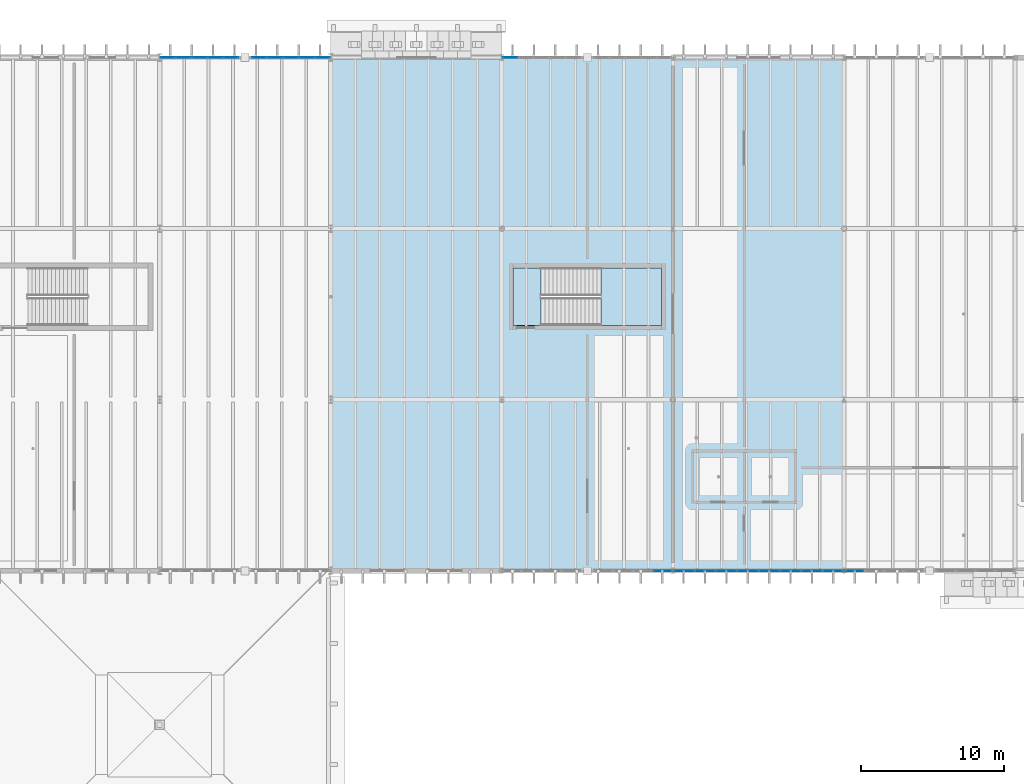
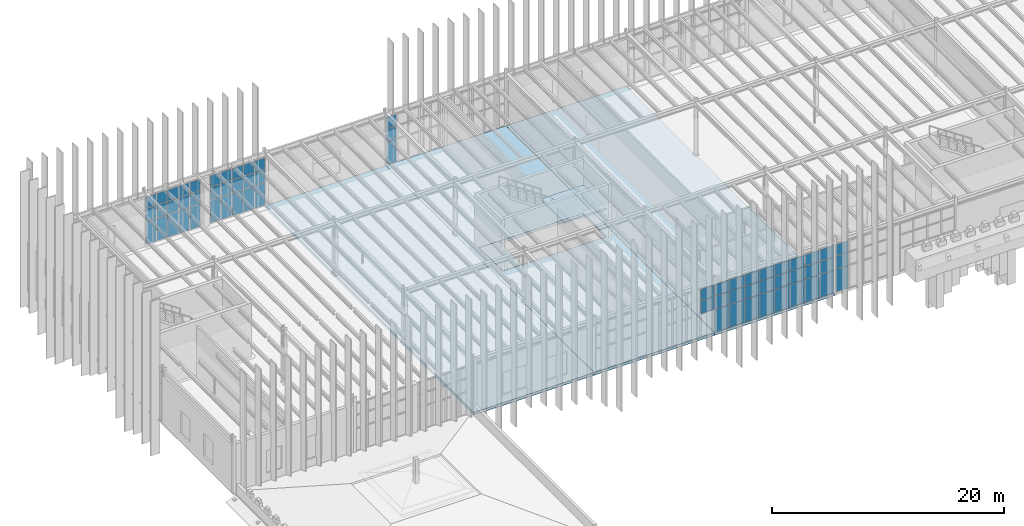
# One storey, part 38 of 83: 62 plates, 5 slabs, 7 elements without a shape of their own.
"""IFC4 building model written with IfcOpenShell, lengths in metres."""

from ifc_helpers import new_model, si_unit, direction, frame, origin, origin_2d, place, context, subcontext, project, spatial, polyline, rectangle, outline, extrude, material, layer, layer_set, type_object, element, aggregate, save


model = new_model("IFC4")

# Units and contexts
model_context = context("Model", 3, precision=1e-05, world=origin(), true_north=direction((0.0, 1.0)))
body_context = subcontext(model_context, "Body", "Model", "MODEL_VIEW")
ifc_project = project(units=[si_unit("LENGTHUNIT", "METRE"), si_unit("AREAUNIT", "SQUARE_METRE"), si_unit("VOLUMEUNIT", "CUBIC_METRE"), si_unit("PLANEANGLEUNIT", "RADIAN"), si_unit("MASSUNIT", "GRAM", prefix="KILO")], contexts=[model_context])

# Site, building, storey
site_placement = place(None, origin())
site = spatial("IfcSite", under=ifc_project, at=site_placement, CompositionType="ELEMENT")
building_placement = place(site_placement, origin())
building = spatial("IfcBuilding", under=site, at=building_placement, Name="Zlatogorsky Bluff Art Gallery", CompositionType="ELEMENT")
storey_placement = place(building_placement, frame((0.0, 0.0, 10.800048828125)))
storey = spatial("IfcBuildingStorey", under=building, at=storey_placement, Name="L02", CompositionType="ELEMENT", Elevation=10.800048828125)

# Curtain wall, plates
ifc_material_1 = material(Name="Anodised Bronze Aluminium and Low-Iron Triple Glazing", Category="aluminium")
ifc_layer_1 = layer(ifc_material_1, 0.179931640625)
ifc_layer_set_1 = layer_set([ifc_layer_1], Name="Curtain Wall CW-03")
curtain_wall_type_1 = type_object("IfcCurtainWallType", Name="Curtain Wall CW-03", PredefinedType="USERDEFINED", material=ifc_layer_set_1)
curtain_wall_1_placement = place(storey_placement, origin())
curtain_wall_1 = element("IfcCurtainWall", 1, at=curtain_wall_1_placement, inside=storey, type_object=curtain_wall_type_1, Name="Unitised curtain wall CW-03 L02 N 1.10-A", ObjectType="CURTAIN WALL", PredefinedType="USERDEFINED")
ifc_material_2 = material(Name="Low-Iron Laminated Triple Glazing", Category="glass")
ifc_layer_2 = layer(ifc_material_2, 0.035888671875)
ifc_layer_set_2 = layer_set([ifc_layer_2], Name="Glazed Curtain Panel CWP-01")
plate_type = type_object("IfcPlateType", Name="Glazed Curtain Panel CWP-01", PredefinedType="CURTAIN_PANEL", material=ifc_layer_set_2)
plate_1_placement = place(storey_placement, frame((23.42578125, 120.0, 0.06494140625), z_axis=(0.0, 0.0, 1.0), x_axis=(-1.0, 0.0, 0.0)))
plate_1 = element("IfcPlate", 2, at=plate_1_placement, type_object=plate_type, Name="CW-03 panel 1.1", PredefinedType="CURTAIN_PANEL", context=body_context, shape_type="SweptSolid", body=[
    extrude(rectangle(XDim=1.0185546875, YDim=0.035888671875, at=origin_2d()), origin(), (0.0, 0.0, 1.0), 2.3525390625),
])
plate_2_placement = place(storey_placement, frame((23.42578125, 120.0, 2.482421875), z_axis=(0.0, 0.0, 1.0), x_axis=(-1.0, 0.0, 0.0)))
plate_2 = element("IfcPlate", 3, at=plate_2_placement, type_object=plate_type, Name="CW-03 panel 1.2", PredefinedType="CURTAIN_PANEL", context=body_context, shape_type="SweptSolid", body=[
    extrude(rectangle(XDim=1.0185546875, YDim=0.035888671875, at=origin_2d()), origin(), (0.0, 0.0, 1.0), 1.3349609375),
])
plate_3_placement = place(storey_placement, frame((23.42578125, 120.0, 3.88232421875), z_axis=(0.0, 0.0, 1.0), x_axis=(-1.0, 0.0, 0.0)))
plate_3 = element("IfcPlate", 4, at=plate_3_placement, type_object=plate_type, Name="CW-03 panel 1.3", PredefinedType="CURTAIN_PANEL", context=body_context, shape_type="SweptSolid", body=[
    extrude(rectangle(XDim=1.0185546875, YDim=0.035888671875, at=origin_2d()), origin(), (0.0, 0.0, 1.0), 1.16259765625),
])
plate_4_placement = place(storey_placement, frame((22.325927734375, 120.0, 0.06494140625), z_axis=(0.0, 0.0, 1.0), x_axis=(-1.0, 0.0, 0.0)))
plate_4 = element("IfcPlate", 5, at=plate_4_placement, type_object=plate_type, Name="CW-03 panel 2.1", PredefinedType="CURTAIN_PANEL", context=body_context, shape_type="SweptSolid", body=[
    extrude(rectangle(XDim=1.051025390625, YDim=0.035888671875, at=origin_2d()), origin(), (0.0, 0.0, 1.0), 2.3525390625),
])
plate_5_placement = place(storey_placement, frame((22.325927734375, 120.0, 2.482421875), z_axis=(0.0, 0.0, 1.0), x_axis=(-1.0, 0.0, 0.0)))
plate_5 = element("IfcPlate", 6, at=plate_5_placement, type_object=plate_type, Name="CW-03 panel 2.2", PredefinedType="CURTAIN_PANEL", context=body_context, shape_type="SweptSolid", body=[
    extrude(rectangle(XDim=1.051025390625, YDim=0.035888671875, at=origin_2d()), origin(), (0.0, 0.0, 1.0), 1.3349609375),
])
plate_6_placement = place(storey_placement, frame((22.325927734375, 120.0, 3.88232421875), z_axis=(0.0, 0.0, 1.0), x_axis=(-1.0, 0.0, 0.0)))
plate_6 = element("IfcPlate", 7, at=plate_6_placement, type_object=plate_type, Name="CW-03 panel 2.3", PredefinedType="CURTAIN_PANEL", context=body_context, shape_type="SweptSolid", body=[
    extrude(rectangle(XDim=1.051025390625, YDim=0.035888671875, at=origin_2d()), origin(), (0.0, 0.0, 1.0), 1.16259765625),
])
plate_7_placement = place(storey_placement, frame((21.2099609375, 120.0, 0.06494140625), z_axis=(0.0, 0.0, 1.0), x_axis=(-1.0, 0.0, 0.0)))
plate_7 = element("IfcPlate", 8, at=plate_7_placement, type_object=plate_type, Name="CW-03 panel 3.1", PredefinedType="CURTAIN_PANEL", context=body_context, shape_type="SweptSolid", body=[
    extrude(rectangle(XDim=1.051025390625, YDim=0.035888671875, at=origin_2d()), origin(), (0.0, 0.0, 1.0), 2.3525390625),
])
plate_8_placement = place(storey_placement, frame((21.2099609375, 120.0, 2.482421875), z_axis=(0.0, 0.0, 1.0), x_axis=(-1.0, 0.0, 0.0)))
plate_8 = element("IfcPlate", 9, at=plate_8_placement, type_object=plate_type, Name="CW-03 panel 3.2", PredefinedType="CURTAIN_PANEL", context=body_context, shape_type="SweptSolid", body=[
    extrude(rectangle(XDim=1.051025390625, YDim=0.035888671875, at=origin_2d()), origin(), (0.0, 0.0, 1.0), 1.3349609375),
])
plate_9_placement = place(storey_placement, frame((21.2099609375, 120.0, 3.88232421875), z_axis=(0.0, 0.0, 1.0), x_axis=(-1.0, 0.0, 0.0)))
plate_9 = element("IfcPlate", 10, at=plate_9_placement, type_object=plate_type, Name="CW-03 panel 3.3", PredefinedType="CURTAIN_PANEL", context=body_context, shape_type="SweptSolid", body=[
    extrude(rectangle(XDim=1.051025390625, YDim=0.035888671875, at=origin_2d()), origin(), (0.0, 0.0, 1.0), 1.16259765625),
])
plate_10_placement = place(storey_placement, frame((20.093994140625, 120.0, 0.06494140625), z_axis=(0.0, 0.0, 1.0), x_axis=(-1.0, 0.0, 0.0)))
plate_10 = element("IfcPlate", 11, at=plate_10_placement, type_object=plate_type, Name="CW-03 panel 4.1", PredefinedType="CURTAIN_PANEL", context=body_context, shape_type="SweptSolid", body=[
    extrude(rectangle(XDim=1.051025390625, YDim=0.035888671875, at=origin_2d()), origin(), (0.0, 0.0, 1.0), 2.3525390625),
])
plate_11_placement = place(storey_placement, frame((20.093994140625, 120.0, 2.482421875), z_axis=(0.0, 0.0, 1.0), x_axis=(-1.0, 0.0, 0.0)))
plate_11 = element("IfcPlate", 12, at=plate_11_placement, type_object=plate_type, Name="CW-03 panel 4.2", PredefinedType="CURTAIN_PANEL", context=body_context, shape_type="SweptSolid", body=[
    extrude(rectangle(XDim=1.051025390625, YDim=0.035888671875, at=origin_2d()), origin(), (0.0, 0.0, 1.0), 1.3349609375),
])
plate_12_placement = place(storey_placement, frame((20.093994140625, 120.0, 3.88232421875), z_axis=(0.0, 0.0, 1.0), x_axis=(-1.0, 0.0, 0.0)))
plate_12 = element("IfcPlate", 13, at=plate_12_placement, type_object=plate_type, Name="CW-03 panel 4.3", PredefinedType="CURTAIN_PANEL", context=body_context, shape_type="SweptSolid", body=[
    extrude(rectangle(XDim=1.051025390625, YDim=0.035888671875, at=origin_2d()), origin(), (0.0, 0.0, 1.0), 1.16259765625),
])
plate_13_placement = place(storey_placement, frame((18.994140625, 120.0, 0.06494140625), z_axis=(0.0, 0.0, 1.0), x_axis=(-1.0, 0.0, 0.0)))
plate_13 = element("IfcPlate", 14, at=plate_13_placement, type_object=plate_type, Name="CW-03 panel 5.1", PredefinedType="CURTAIN_PANEL", context=body_context, shape_type="SweptSolid", body=[
    extrude(rectangle(XDim=1.0185546875, YDim=0.035888671875, at=origin_2d()), origin(), (0.0, 0.0, 1.0), 2.3525390625),
])
plate_14_placement = place(storey_placement, frame((18.994140625, 120.0, 2.482421875), z_axis=(0.0, 0.0, 1.0), x_axis=(-1.0, 0.0, 0.0)))
plate_14 = element("IfcPlate", 15, at=plate_14_placement, type_object=plate_type, Name="CW-03 panel 5.2", PredefinedType="CURTAIN_PANEL", context=body_context, shape_type="SweptSolid", body=[
    extrude(rectangle(XDim=1.0185546875, YDim=0.035888671875, at=origin_2d()), origin(), (0.0, 0.0, 1.0), 1.3349609375),
])
plate_15_placement = place(storey_placement, frame((18.994140625, 120.0, 3.88232421875), z_axis=(0.0, 0.0, 1.0), x_axis=(-1.0, 0.0, 0.0)))
plate_15 = element("IfcPlate", 16, at=plate_15_placement, type_object=plate_type, Name="CW-03 panel 5.3", PredefinedType="CURTAIN_PANEL", context=body_context, shape_type="SweptSolid", body=[
    extrude(rectangle(XDim=1.0185546875, YDim=0.035888671875, at=origin_2d()), origin(), (0.0, 0.0, 1.0), 1.16259765625),
])
aggregate(curtain_wall_1, [plate_1, plate_2, plate_3, plate_4, plate_5, plate_6, plate_7, plate_8, plate_9, plate_10, plate_11, plate_12, plate_13, plate_14, plate_15])

curtain_wall_2_placement = place(storey_placement, origin())
curtain_wall_2 = element("IfcCurtainWall", 17, at=curtain_wall_2_placement, inside=storey, type_object=curtain_wall_type_1, Name="Unitised curtain wall CW-03 L02 N 1.10-B", ObjectType="CURTAIN WALL", PredefinedType="USERDEFINED")
plate_16_placement = place(storey_placement, frame((17.005859375, 120.0, 0.06494140625), z_axis=(0.0, 0.0, 1.0), x_axis=(-1.0, 0.0, 0.0)))
plate_16 = element("IfcPlate", 18, at=plate_16_placement, type_object=plate_type, Name="CW-03 panel 1.1", PredefinedType="CURTAIN_PANEL", context=body_context, shape_type="SweptSolid", body=[
    extrude(rectangle(XDim=1.0185546875, YDim=0.035888671875, at=origin_2d()), origin(), (0.0, 0.0, 1.0), 2.3525390625),
])
plate_17_placement = place(storey_placement, frame((17.005859375, 120.0, 2.482421875), z_axis=(0.0, 0.0, 1.0), x_axis=(-1.0, 0.0, 0.0)))
plate_17 = element("IfcPlate", 19, at=plate_17_placement, type_object=plate_type, Name="CW-03 panel 1.2", PredefinedType="CURTAIN_PANEL", context=body_context, shape_type="SweptSolid", body=[
    extrude(rectangle(XDim=1.0185546875, YDim=0.035888671875, at=origin_2d()), origin(), (0.0, 0.0, 1.0), 1.3349609375),
])
plate_18_placement = place(storey_placement, frame((17.005859375, 120.0, 3.88232421875), z_axis=(0.0, 0.0, 1.0), x_axis=(-1.0, 0.0, 0.0)))
plate_18 = element("IfcPlate", 20, at=plate_18_placement, type_object=plate_type, Name="CW-03 panel 1.3", PredefinedType="CURTAIN_PANEL", context=body_context, shape_type="SweptSolid", body=[
    extrude(rectangle(XDim=1.0185546875, YDim=0.035888671875, at=origin_2d()), origin(), (0.0, 0.0, 1.0), 1.16259765625),
])
plate_19_placement = place(storey_placement, frame((15.906005859375, 120.0, 0.06494140625), z_axis=(0.0, 0.0, 1.0), x_axis=(-1.0, 0.0, 0.0)))
plate_19 = element("IfcPlate", 21, at=plate_19_placement, type_object=plate_type, Name="CW-03 panel 2.1", PredefinedType="CURTAIN_PANEL", context=body_context, shape_type="SweptSolid", body=[
    extrude(rectangle(XDim=1.051025390625, YDim=0.035888671875, at=origin_2d()), origin(), (0.0, 0.0, 1.0), 2.3525390625),
])
plate_20_placement = place(storey_placement, frame((15.906005859375, 120.0, 2.482421875), z_axis=(0.0, 0.0, 1.0), x_axis=(-1.0, 0.0, 0.0)))
plate_20 = element("IfcPlate", 22, at=plate_20_placement, type_object=plate_type, Name="CW-03 panel 2.2", PredefinedType="CURTAIN_PANEL", context=body_context, shape_type="SweptSolid", body=[
    extrude(rectangle(XDim=1.051025390625, YDim=0.035888671875, at=origin_2d()), origin(), (0.0, 0.0, 1.0), 1.3349609375),
])
plate_21_placement = place(storey_placement, frame((15.906005859375, 120.0, 3.88232421875), z_axis=(0.0, 0.0, 1.0), x_axis=(-1.0, 0.0, 0.0)))
plate_21 = element("IfcPlate", 23, at=plate_21_placement, type_object=plate_type, Name="CW-03 panel 2.3", PredefinedType="CURTAIN_PANEL", context=body_context, shape_type="SweptSolid", body=[
    extrude(rectangle(XDim=1.051025390625, YDim=0.035888671875, at=origin_2d()), origin(), (0.0, 0.0, 1.0), 1.16259765625),
])
plate_22_placement = place(storey_placement, frame((14.7900390625, 120.0, 0.06494140625), z_axis=(0.0, 0.0, 1.0), x_axis=(-1.0, 0.0, 0.0)))
plate_22 = element("IfcPlate", 24, at=plate_22_placement, type_object=plate_type, Name="CW-03 panel 3.1", PredefinedType="CURTAIN_PANEL", context=body_context, shape_type="SweptSolid", body=[
    extrude(rectangle(XDim=1.051025390625, YDim=0.035888671875, at=origin_2d()), origin(), (0.0, 0.0, 1.0), 2.3525390625),
])
plate_23_placement = place(storey_placement, frame((14.7900390625, 120.0, 2.482421875), z_axis=(0.0, 0.0, 1.0), x_axis=(-1.0, 0.0, 0.0)))
plate_23 = element("IfcPlate", 25, at=plate_23_placement, type_object=plate_type, Name="CW-03 panel 3.2", PredefinedType="CURTAIN_PANEL", context=body_context, shape_type="SweptSolid", body=[
    extrude(rectangle(XDim=1.051025390625, YDim=0.035888671875, at=origin_2d()), origin(), (0.0, 0.0, 1.0), 1.3349609375),
])
plate_24_placement = place(storey_placement, frame((14.7900390625, 120.0, 3.88232421875), z_axis=(0.0, 0.0, 1.0), x_axis=(-1.0, 0.0, 0.0)))
plate_24 = element("IfcPlate", 26, at=plate_24_placement, type_object=plate_type, Name="CW-03 panel 3.3", PredefinedType="CURTAIN_PANEL", context=body_context, shape_type="SweptSolid", body=[
    extrude(rectangle(XDim=1.051025390625, YDim=0.035888671875, at=origin_2d()), origin(), (0.0, 0.0, 1.0), 1.16259765625),
])
plate_25_placement = place(storey_placement, frame((13.674072265625, 120.0, 0.06494140625), z_axis=(0.0, 0.0, 1.0), x_axis=(-1.0, 0.0, 0.0)))
plate_25 = element("IfcPlate", 27, at=plate_25_placement, type_object=plate_type, Name="CW-03 panel 4.1", PredefinedType="CURTAIN_PANEL", context=body_context, shape_type="SweptSolid", body=[
    extrude(rectangle(XDim=1.051025390625, YDim=0.035888671875, at=origin_2d()), origin(), (0.0, 0.0, 1.0), 2.3525390625),
])
plate_26_placement = place(storey_placement, frame((13.674072265625, 120.0, 2.482421875), z_axis=(0.0, 0.0, 1.0), x_axis=(-1.0, 0.0, 0.0)))
plate_26 = element("IfcPlate", 28, at=plate_26_placement, type_object=plate_type, Name="CW-03 panel 4.2", PredefinedType="CURTAIN_PANEL", context=body_context, shape_type="SweptSolid", body=[
    extrude(rectangle(XDim=1.051025390625, YDim=0.035888671875, at=origin_2d()), origin(), (0.0, 0.0, 1.0), 1.3349609375),
])
plate_27_placement = place(storey_placement, frame((13.674072265625, 120.0, 3.88232421875), z_axis=(0.0, 0.0, 1.0), x_axis=(-1.0, 0.0, 0.0)))
plate_27 = element("IfcPlate", 29, at=plate_27_placement, type_object=plate_type, Name="CW-03 panel 4.3", PredefinedType="CURTAIN_PANEL", context=body_context, shape_type="SweptSolid", body=[
    extrude(rectangle(XDim=1.051025390625, YDim=0.035888671875, at=origin_2d()), origin(), (0.0, 0.0, 1.0), 1.16259765625),
])
plate_28_placement = place(storey_placement, frame((12.57421875, 120.0, 0.06494140625), z_axis=(0.0, 0.0, 1.0), x_axis=(-1.0, 0.0, 0.0)))
plate_28 = element("IfcPlate", 30, at=plate_28_placement, type_object=plate_type, Name="CW-03 panel 5.1", PredefinedType="CURTAIN_PANEL", context=body_context, shape_type="SweptSolid", body=[
    extrude(rectangle(XDim=1.0185546875, YDim=0.035888671875, at=origin_2d()), origin(), (0.0, 0.0, 1.0), 2.3525390625),
])
plate_29_placement = place(storey_placement, frame((12.57421875, 120.0, 2.482421875), z_axis=(0.0, 0.0, 1.0), x_axis=(-1.0, 0.0, 0.0)))
plate_29 = element("IfcPlate", 31, at=plate_29_placement, type_object=plate_type, Name="CW-03 panel 5.2", PredefinedType="CURTAIN_PANEL", context=body_context, shape_type="SweptSolid", body=[
    extrude(rectangle(XDim=1.0185546875, YDim=0.035888671875, at=origin_2d()), origin(), (0.0, 0.0, 1.0), 1.3349609375),
])
plate_30_placement = place(storey_placement, frame((12.57421875, 120.0, 3.88232421875), z_axis=(0.0, 0.0, 1.0), x_axis=(-1.0, 0.0, 0.0)))
plate_30 = element("IfcPlate", 32, at=plate_30_placement, type_object=plate_type, Name="CW-03 panel 5.3", PredefinedType="CURTAIN_PANEL", context=body_context, shape_type="SweptSolid", body=[
    extrude(rectangle(XDim=1.0185546875, YDim=0.035888671875, at=origin_2d()), origin(), (0.0, 0.0, 1.0), 1.16259765625),
])
aggregate(curtain_wall_2, [plate_16, plate_17, plate_18, plate_19, plate_20, plate_21, plate_22, plate_23, plate_24, plate_25, plate_26, plate_27, plate_28, plate_29, plate_30])

ifc_layer_3 = layer(ifc_material_1, 0.179931640625)
ifc_layer_set_3 = layer_set([ifc_layer_3], Name="Curtain Wall CW-01")
curtain_wall_type_2 = type_object("IfcCurtainWallType", Name="Curtain Wall CW-01", PredefinedType="USERDEFINED", material=ifc_layer_set_3)
curtain_wall_3_placement = place(storey_placement, origin())
curtain_wall_3 = element("IfcCurtainWall", 33, at=curtain_wall_3_placement, inside=storey, type_object=curtain_wall_type_2, Name="Unitised curtain wall CW-01 L02 S 3.8-B", ObjectType="CURTAIN WALL", PredefinedType="USERDEFINED")
plate_31_placement = place(storey_placement, frame((47.2861328125, 84.0, 2.482421875), z_axis=(0.0, 0.0, 1.0), x_axis=(1.0, 0.0, 0.0)))
plate_31 = element("IfcPlate", 34, at=plate_31_placement, type_object=plate_type, Name="CW-01 panel 4.2", PredefinedType="CURTAIN_PANEL", context=body_context, shape_type="SweptSolid", body=[
    extrude(rectangle(XDim=1.297607421875, YDim=0.035888671875, at=origin_2d()), origin(), (0.0, 0.0, 1.0), 1.3349609375),
])
plate_32_placement = place(storey_placement, frame((47.2861328125, 84.0, 3.88232421875), z_axis=(0.0, 0.0, 1.0), x_axis=(1.0, 0.0, 0.0)))
plate_32 = element("IfcPlate", 35, at=plate_32_placement, type_object=plate_type, Name="CW-01 panel 4.3", PredefinedType="CURTAIN_PANEL", context=body_context, shape_type="SweptSolid", body=[
    extrude(rectangle(XDim=1.297607421875, YDim=0.035888671875, at=origin_2d()), origin(), (0.0, 0.0, 1.0), 1.16259765625),
])
aggregate(curtain_wall_3, [plate_31, plate_32])

curtain_wall_4_placement = place(storey_placement, origin())
curtain_wall_4 = element("IfcCurtainWall", 36, at=curtain_wall_4_placement, inside=storey, type_object=curtain_wall_type_1, Name="Unitised curtain wall CW-03 L02 N 3.10-B", ObjectType="CURTAIN WALL", PredefinedType="USERDEFINED")
plate_33_placement = place(storey_placement, frame((36.57421875, 120.0, 0.06494140625), z_axis=(0.0, 0.0, 1.0), x_axis=(-1.0, 0.0, 0.0)))
plate_33 = element("IfcPlate", 37, at=plate_33_placement, type_object=plate_type, Name="CW-03 panel 5.1", PredefinedType="CURTAIN_PANEL", context=body_context, shape_type="SweptSolid", body=[
    extrude(rectangle(XDim=1.0185546875, YDim=0.035888671875, at=origin_2d()), origin(), (0.0, 0.0, 1.0), 2.3525390625),
])
plate_34_placement = place(storey_placement, frame((36.57421875, 120.0, 2.482421875), z_axis=(0.0, 0.0, 1.0), x_axis=(-1.0, 0.0, 0.0)))
plate_34 = element("IfcPlate", 38, at=plate_34_placement, type_object=plate_type, Name="CW-03 panel 5.2", PredefinedType="CURTAIN_PANEL", context=body_context, shape_type="SweptSolid", body=[
    extrude(rectangle(XDim=1.0185546875, YDim=0.035888671875, at=origin_2d()), origin(), (0.0, 0.0, 1.0), 1.3349609375),
])
plate_35_placement = place(storey_placement, frame((36.57421875, 120.0, 3.88232421875), z_axis=(0.0, 0.0, 1.0), x_axis=(-1.0, 0.0, 0.0)))
plate_35 = element("IfcPlate", 39, at=plate_35_placement, type_object=plate_type, Name="CW-03 panel 5.3", PredefinedType="CURTAIN_PANEL", context=body_context, shape_type="SweptSolid", body=[
    extrude(rectangle(XDim=1.0185546875, YDim=0.035888671875, at=origin_2d()), origin(), (0.0, 0.0, 1.0), 1.16259765625),
])
aggregate(curtain_wall_4, [plate_33, plate_34, plate_35])

curtain_wall_5_placement = place(storey_placement, origin())
curtain_wall_5 = element("IfcCurtainWall", 40, at=curtain_wall_5_placement, inside=storey, type_object=curtain_wall_type_2, Name="Unitised curtain wall CW-01 L02 S 4.8", ObjectType="CURTAIN WALL", PredefinedType="USERDEFINED")
plate_36_placement = place(storey_placement, frame((48.766357421875, 84.0, 0.06494140625), z_axis=(0.0, 0.0, 1.0), x_axis=(1.0, 0.0, 0.0)))
plate_36 = element("IfcPlate", 41, at=plate_36_placement, type_object=plate_type, Name="CW-01 panel 1.1", PredefinedType="CURTAIN_PANEL", context=body_context, shape_type="SweptSolid", body=[
    extrude(rectangle(XDim=1.402587890625, YDim=0.035888671875, at=origin_2d()), origin(), (0.0, 0.0, 1.0), 2.3525390625),
])
plate_37_placement = place(storey_placement, frame((48.766357421875, 84.0, 2.482421875), z_axis=(0.0, 0.0, 1.0), x_axis=(1.0, 0.0, 0.0)))
plate_37 = element("IfcPlate", 42, at=plate_37_placement, type_object=plate_type, Name="CW-01 panel 1.2", PredefinedType="CURTAIN_PANEL", context=body_context, shape_type="SweptSolid", body=[
    extrude(rectangle(XDim=1.402587890625, YDim=0.035888671875, at=origin_2d()), origin(), (0.0, 0.0, 1.0), 1.3349609375),
])
plate_38_placement = place(storey_placement, frame((48.766357421875, 84.0, 3.88232421875), z_axis=(0.0, 0.0, 1.0), x_axis=(1.0, 0.0, 0.0)))
plate_38 = element("IfcPlate", 43, at=plate_38_placement, type_object=plate_type, Name="CW-01 panel 1.3", PredefinedType="CURTAIN_PANEL", context=body_context, shape_type="SweptSolid", body=[
    extrude(rectangle(XDim=1.402587890625, YDim=0.035888671875, at=origin_2d()), origin(), (0.0, 0.0, 1.0), 1.16259765625),
])
plate_39_placement = place(storey_placement, frame((50.25, 84.0, 0.06494140625), z_axis=(0.0, 0.0, 1.0), x_axis=(1.0, 0.0, 0.0)))
plate_39 = element("IfcPlate", 44, at=plate_39_placement, type_object=plate_type, Name="CW-01 panel 2.1", PredefinedType="CURTAIN_PANEL", context=body_context, shape_type="SweptSolid", body=[
    extrude(rectangle(XDim=1.43505859375, YDim=0.035888671875, at=origin_2d()), origin(), (0.0, 0.0, 1.0), 2.3525390625),
])
plate_40_placement = place(storey_placement, frame((50.25, 84.0, 2.482421875), z_axis=(0.0, 0.0, 1.0), x_axis=(1.0, 0.0, 0.0)))
plate_40 = element("IfcPlate", 45, at=plate_40_placement, type_object=plate_type, Name="CW-01 panel 2.2", PredefinedType="CURTAIN_PANEL", context=body_context, shape_type="SweptSolid", body=[
    extrude(rectangle(XDim=1.43505859375, YDim=0.035888671875, at=origin_2d()), origin(), (0.0, 0.0, 1.0), 1.3349609375),
])
plate_41_placement = place(storey_placement, frame((50.25, 84.0, 3.88232421875), z_axis=(0.0, 0.0, 1.0), x_axis=(1.0, 0.0, 0.0)))
plate_41 = element("IfcPlate", 46, at=plate_41_placement, type_object=plate_type, Name="CW-01 panel 2.3", PredefinedType="CURTAIN_PANEL", context=body_context, shape_type="SweptSolid", body=[
    extrude(rectangle(XDim=1.43505859375, YDim=0.035888671875, at=origin_2d()), origin(), (0.0, 0.0, 1.0), 1.16259765625),
])
plate_42_placement = place(storey_placement, frame((51.75, 84.0, 0.06494140625), z_axis=(0.0, 0.0, 1.0), x_axis=(1.0, 0.0, 0.0)))
plate_42 = element("IfcPlate", 47, at=plate_42_placement, type_object=plate_type, Name="CW-01 panel 3.1", PredefinedType="CURTAIN_PANEL", context=body_context, shape_type="SweptSolid", body=[
    extrude(rectangle(XDim=1.43505859375, YDim=0.035888671875, at=origin_2d()), origin(), (0.0, 0.0, 1.0), 2.3525390625),
])
plate_43_placement = place(storey_placement, frame((51.75, 84.0, 2.482421875), z_axis=(0.0, 0.0, 1.0), x_axis=(1.0, 0.0, 0.0)))
plate_43 = element("IfcPlate", 48, at=plate_43_placement, type_object=plate_type, Name="CW-01 panel 3.2", PredefinedType="CURTAIN_PANEL", context=body_context, shape_type="SweptSolid", body=[
    extrude(rectangle(XDim=1.43505859375, YDim=0.035888671875, at=origin_2d()), origin(), (0.0, 0.0, 1.0), 1.3349609375),
])
plate_44_placement = place(storey_placement, frame((51.75, 84.0, 3.88232421875), z_axis=(0.0, 0.0, 1.0), x_axis=(1.0, 0.0, 0.0)))
plate_44 = element("IfcPlate", 49, at=plate_44_placement, type_object=plate_type, Name="CW-01 panel 3.3", PredefinedType="CURTAIN_PANEL", context=body_context, shape_type="SweptSolid", body=[
    extrude(rectangle(XDim=1.43505859375, YDim=0.035888671875, at=origin_2d()), origin(), (0.0, 0.0, 1.0), 1.16259765625),
])
plate_45_placement = place(storey_placement, frame((53.25, 84.0, 0.06494140625), z_axis=(0.0, 0.0, 1.0), x_axis=(1.0, 0.0, 0.0)))
plate_45 = element("IfcPlate", 50, at=plate_45_placement, type_object=plate_type, Name="CW-01 panel 4.1", PredefinedType="CURTAIN_PANEL", context=body_context, shape_type="SweptSolid", body=[
    extrude(rectangle(XDim=1.43505859375, YDim=0.035888671875, at=origin_2d()), origin(), (0.0, 0.0, 1.0), 2.3525390625),
])
plate_46_placement = place(storey_placement, frame((53.25, 84.0, 2.482421875), z_axis=(0.0, 0.0, 1.0), x_axis=(1.0, 0.0, 0.0)))
plate_46 = element("IfcPlate", 51, at=plate_46_placement, type_object=plate_type, Name="CW-01 panel 4.2", PredefinedType="CURTAIN_PANEL", context=body_context, shape_type="SweptSolid", body=[
    extrude(rectangle(XDim=1.43505859375, YDim=0.035888671875, at=origin_2d()), origin(), (0.0, 0.0, 1.0), 1.3349609375),
])
plate_47_placement = place(storey_placement, frame((53.25, 84.0, 3.88232421875), z_axis=(0.0, 0.0, 1.0), x_axis=(1.0, 0.0, 0.0)))
plate_47 = element("IfcPlate", 52, at=plate_47_placement, type_object=plate_type, Name="CW-01 panel 4.3", PredefinedType="CURTAIN_PANEL", context=body_context, shape_type="SweptSolid", body=[
    extrude(rectangle(XDim=1.43505859375, YDim=0.035888671875, at=origin_2d()), origin(), (0.0, 0.0, 1.0), 1.16259765625),
])
plate_48_placement = place(storey_placement, frame((54.75, 84.0, 0.06494140625), z_axis=(0.0, 0.0, 1.0), x_axis=(1.0, 0.0, 0.0)))
plate_48 = element("IfcPlate", 53, at=plate_48_placement, type_object=plate_type, Name="CW-01 panel 5.1", PredefinedType="CURTAIN_PANEL", context=body_context, shape_type="SweptSolid", body=[
    extrude(rectangle(XDim=1.43505859375, YDim=0.035888671875, at=origin_2d()), origin(), (0.0, 0.0, 1.0), 2.3525390625),
])
plate_49_placement = place(storey_placement, frame((54.75, 84.0, 2.482421875), z_axis=(0.0, 0.0, 1.0), x_axis=(1.0, 0.0, 0.0)))
plate_49 = element("IfcPlate", 54, at=plate_49_placement, type_object=plate_type, Name="CW-01 panel 5.2", PredefinedType="CURTAIN_PANEL", context=body_context, shape_type="SweptSolid", body=[
    extrude(rectangle(XDim=1.43505859375, YDim=0.035888671875, at=origin_2d()), origin(), (0.0, 0.0, 1.0), 1.3349609375),
])
plate_50_placement = place(storey_placement, frame((54.75, 84.0, 3.88232421875), z_axis=(0.0, 0.0, 1.0), x_axis=(1.0, 0.0, 0.0)))
plate_50 = element("IfcPlate", 55, at=plate_50_placement, type_object=plate_type, Name="CW-01 panel 5.3", PredefinedType="CURTAIN_PANEL", context=body_context, shape_type="SweptSolid", body=[
    extrude(rectangle(XDim=1.43505859375, YDim=0.035888671875, at=origin_2d()), origin(), (0.0, 0.0, 1.0), 1.16259765625),
])
plate_51_placement = place(storey_placement, frame((56.25, 84.0, 0.06494140625), z_axis=(0.0, 0.0, 1.0), x_axis=(1.0, 0.0, 0.0)))
plate_51 = element("IfcPlate", 56, at=plate_51_placement, type_object=plate_type, Name="CW-01 panel 6.1", PredefinedType="CURTAIN_PANEL", context=body_context, shape_type="SweptSolid", body=[
    extrude(rectangle(XDim=1.43505859375, YDim=0.035888671875, at=origin_2d()), origin(), (0.0, 0.0, 1.0), 2.3525390625),
])
plate_52_placement = place(storey_placement, frame((56.25, 84.0, 2.482421875), z_axis=(0.0, 0.0, 1.0), x_axis=(1.0, 0.0, 0.0)))
plate_52 = element("IfcPlate", 57, at=plate_52_placement, type_object=plate_type, Name="CW-01 panel 6.2", PredefinedType="CURTAIN_PANEL", context=body_context, shape_type="SweptSolid", body=[
    extrude(rectangle(XDim=1.43505859375, YDim=0.035888671875, at=origin_2d()), origin(), (0.0, 0.0, 1.0), 1.3349609375),
])
plate_53_placement = place(storey_placement, frame((56.25, 84.0, 3.88232421875), z_axis=(0.0, 0.0, 1.0), x_axis=(1.0, 0.0, 0.0)))
plate_53 = element("IfcPlate", 58, at=plate_53_placement, type_object=plate_type, Name="CW-01 panel 6.3", PredefinedType="CURTAIN_PANEL", context=body_context, shape_type="SweptSolid", body=[
    extrude(rectangle(XDim=1.43505859375, YDim=0.035888671875, at=origin_2d()), origin(), (0.0, 0.0, 1.0), 1.16259765625),
])
plate_54_placement = place(storey_placement, frame((57.75, 84.0, 0.06494140625), z_axis=(0.0, 0.0, 1.0), x_axis=(1.0, 0.0, 0.0)))
plate_54 = element("IfcPlate", 59, at=plate_54_placement, type_object=plate_type, Name="CW-01 panel 7.1", PredefinedType="CURTAIN_PANEL", context=body_context, shape_type="SweptSolid", body=[
    extrude(rectangle(XDim=1.43505859375, YDim=0.035888671875, at=origin_2d()), origin(), (0.0, 0.0, 1.0), 2.3525390625),
])
plate_55_placement = place(storey_placement, frame((57.75, 84.0, 2.482421875), z_axis=(0.0, 0.0, 1.0), x_axis=(1.0, 0.0, 0.0)))
plate_55 = element("IfcPlate", 60, at=plate_55_placement, type_object=plate_type, Name="CW-01 panel 7.2", PredefinedType="CURTAIN_PANEL", context=body_context, shape_type="SweptSolid", body=[
    extrude(rectangle(XDim=1.43505859375, YDim=0.035888671875, at=origin_2d()), origin(), (0.0, 0.0, 1.0), 1.3349609375),
])
plate_56_placement = place(storey_placement, frame((57.75, 84.0, 3.88232421875), z_axis=(0.0, 0.0, 1.0), x_axis=(1.0, 0.0, 0.0)))
plate_56 = element("IfcPlate", 61, at=plate_56_placement, type_object=plate_type, Name="CW-01 panel 7.3", PredefinedType="CURTAIN_PANEL", context=body_context, shape_type="SweptSolid", body=[
    extrude(rectangle(XDim=1.43505859375, YDim=0.035888671875, at=origin_2d()), origin(), (0.0, 0.0, 1.0), 1.16259765625),
])
plate_57_placement = place(storey_placement, frame((59.233642578125, 84.0, 0.06494140625), z_axis=(0.0, 0.0, 1.0), x_axis=(1.0, 0.0, 0.0)))
plate_57 = element("IfcPlate", 62, at=plate_57_placement, type_object=plate_type, Name="CW-01 panel 8.1", PredefinedType="CURTAIN_PANEL", context=body_context, shape_type="SweptSolid", body=[
    extrude(rectangle(XDim=1.402587890625, YDim=0.035888671875, at=origin_2d()), origin(), (0.0, 0.0, 1.0), 2.3525390625),
])
plate_58_placement = place(storey_placement, frame((59.233642578125, 84.0, 2.482421875), z_axis=(0.0, 0.0, 1.0), x_axis=(1.0, 0.0, 0.0)))
plate_58 = element("IfcPlate", 63, at=plate_58_placement, type_object=plate_type, Name="CW-01 panel 8.2", PredefinedType="CURTAIN_PANEL", context=body_context, shape_type="SweptSolid", body=[
    extrude(rectangle(XDim=1.402587890625, YDim=0.035888671875, at=origin_2d()), origin(), (0.0, 0.0, 1.0), 1.3349609375),
])
plate_59_placement = place(storey_placement, frame((59.233642578125, 84.0, 3.88232421875), z_axis=(0.0, 0.0, 1.0), x_axis=(1.0, 0.0, 0.0)))
plate_59 = element("IfcPlate", 64, at=plate_59_placement, type_object=plate_type, Name="CW-01 panel 8.3", PredefinedType="CURTAIN_PANEL", context=body_context, shape_type="SweptSolid", body=[
    extrude(rectangle(XDim=1.402587890625, YDim=0.035888671875, at=origin_2d()), origin(), (0.0, 0.0, 1.0), 1.16259765625),
])
aggregate(curtain_wall_5, [plate_36, plate_37, plate_38, plate_39, plate_40, plate_41, plate_42, plate_43, plate_44, plate_45, plate_46, plate_47, plate_48, plate_49, plate_50, plate_51, plate_52, plate_53, plate_54, plate_55, plate_56, plate_57, plate_58, plate_59])

ifc_layer_4 = layer(ifc_material_1, 0.199951171875)
ifc_layer_set_4 = layer_set([ifc_layer_4], Name="Curtain Wall CW-02")
curtain_wall_type_3 = type_object("IfcCurtainWallType", Name="Curtain Wall CW-02", PredefinedType="USERDEFINED", material=ifc_layer_set_4)
curtain_wall_6_placement = place(storey_placement, origin())
curtain_wall_6 = element("IfcCurtainWall", 65, at=curtain_wall_6_placement, inside=storey, type_object=curtain_wall_type_3, Name="Unitised curtain wall CW-02 L02 S 5.8-A", ObjectType="CURTAIN WALL", PredefinedType="USERDEFINED")
plate_60_placement = place(storey_placement, frame((60.7138671875, 84.0, 0.06494140625), z_axis=(0.0, 0.0, 1.0), x_axis=(1.0, 0.0, 0.0)))
plate_60 = element("IfcPlate", 66, at=plate_60_placement, type_object=plate_type, Name="CW-02 panel 1.1", PredefinedType="CURTAIN_PANEL", context=body_context, shape_type="SweptSolid", body=[
    extrude(rectangle(XDim=1.297607421875, YDim=0.035888671875, at=origin_2d()), origin(), (0.0, 0.0, 1.0), 2.3525390625),
])
plate_61_placement = place(storey_placement, frame((60.7138671875, 84.0, 2.482421875), z_axis=(0.0, 0.0, 1.0), x_axis=(1.0, 0.0, 0.0)))
plate_61 = element("IfcPlate", 67, at=plate_61_placement, type_object=plate_type, Name="CW-02 panel 1.2", PredefinedType="CURTAIN_PANEL", context=body_context, shape_type="SweptSolid", body=[
    extrude(rectangle(XDim=1.297607421875, YDim=0.035888671875, at=origin_2d()), origin(), (0.0, 0.0, 1.0), 1.3349609375),
])
plate_62_placement = place(storey_placement, frame((60.7138671875, 84.0, 3.88232421875), z_axis=(0.0, 0.0, 1.0), x_axis=(1.0, 0.0, 0.0)))
plate_62 = element("IfcPlate", 68, at=plate_62_placement, type_object=plate_type, Name="CW-02 panel 1.3", PredefinedType="CURTAIN_PANEL", context=body_context, shape_type="SweptSolid", body=[
    extrude(rectangle(XDim=1.297607421875, YDim=0.035888671875, at=origin_2d()), origin(), (0.0, 0.0, 1.0), 1.16259765625),
])
aggregate(curtain_wall_6, [plate_60, plate_61, plate_62])

# Slabs
ifc_material_3 = material(Name="Concrete C30/37", Category="concrete")
ifc_layer_5 = layer(ifc_material_3, 0.2900390625)
ifc_layer_set_5 = layer_set([ifc_layer_5], Name="Slab SL-02 290mm")
slab_type_1 = type_object("IfcSlabType", Name="Slab SL-02 290mm", PredefinedType="FLOOR", material=ifc_layer_set_5)
slab_1_placement = place(storey_placement, frame((0.0, 0.0, -0.2900390625)))
element("IfcSlab", 69, at=slab_1_placement, inside=storey, type_object=slab_type_1, Name="L02 structural floor slab panel 03", PredefinedType="FLOOR", context=body_context, shape_type="SweptSolid", body=[
    extrude(outline(polyline([(24.0, 84.0), (24.0, 96.0), (24.0, 108.0), (24.0, 120.0), (36.0, 120.0), (36.0, 108.0), (36.0, 96.0), (36.0, 84.0), (24.0, 84.0)])), origin(), (0.0, 0.0, 1.0), 0.2900390625),
])
slab_2_placement = place(storey_placement, frame((0.0, 0.0, -0.2900390625)))
element("IfcSlab", 70, at=slab_2_placement, inside=storey, type_object=slab_type_1, Name="L02 structural floor slab panel 04", PredefinedType="FLOOR", context=body_context, shape_type="SweptSolid", body=[
    extrude(outline(polyline([(36.0, 84.0), (36.0, 96.0), (36.0, 108.0), (36.0, 120.0), (48.0, 120.0), (48.0, 108.0), (48.0, 96.0), (48.0, 84.0), (36.0, 84.0)]), holes=[polyline([(47.199951171875, 105.25), (36.800048828125, 105.25), (36.800048828125, 101.199951171875), (47.199951171875, 101.199951171875), (47.199951171875, 105.25)])]), origin(), (0.0, 0.0, 1.0), 0.2900390625),
])
slab_3_placement = place(storey_placement, frame((0.0, 0.0, -0.2900390625)))
element("IfcSlab", 71, at=slab_3_placement, inside=storey, type_object=slab_type_1, Name="L02 structural floor slab panel 05", PredefinedType="FLOOR", context=body_context, shape_type="SweptSolid", body=[
    extrude(outline(polyline([(48.0, 84.0), (48.0, 96.0), (48.0, 108.0), (48.0, 120.0), (60.0, 120.0), (60.0, 108.0), (60.0, 96.0), (60.0, 84.0), (48.0, 84.0)])), origin(), (0.0, 0.0, 1.0), 0.2900390625),
])
slab_4_placement = place(storey_placement, frame((0.0, 0.0, -0.2900390625)))
element("IfcSlab", 72, at=slab_4_placement, inside=storey, type_object=slab_type_1, Name="L02 stair ST-07 structural floor landing slab", PredefinedType="FLOOR", context=body_context, shape_type="SweptSolid", body=[
    extrude(outline(polyline([(36.800048828125, 101.199951171875), (38.75, 101.199951171875), (38.75, 105.25), (36.800048828125, 105.25), (36.800048828125, 101.199951171875)])), origin(), (0.0, 0.0, 1.0), 0.2900390625),
])

# Stair, slab
stair_type = type_object("IfcStairType", Name="Protected Dogleg Stair ST-T6", PredefinedType="HALF_TURN_STAIR", material=ifc_material_3)
stair_placement = place(storey_placement, origin())
stair = element("IfcStair", 73, at=stair_placement, inside=storey, type_object=stair_type, Name="L02 Protected Exit Stair ST-07", PredefinedType="HALF_TURN_STAIR")
ifc_layer_6 = layer(ifc_material_3, 0.199951171875)
ifc_layer_set_6 = layer_set([ifc_layer_6], Name="Stair Half-Landing 200mm")
slab_type_2 = type_object("IfcSlabType", Name="Stair Half-Landing 200mm", PredefinedType="LANDING", material=ifc_layer_set_6)
slab_5_placement = place(storey_placement, frame((0.0, 0.0, 2.800048828125)))
slab_5 = element("IfcSlab", 74, at=slab_5_placement, type_object=slab_type_2, Name="ST-07 landing 1", PredefinedType="LANDING", context=body_context, shape_type="SweptSolid", body=[
    extrude(outline(polyline([(42.949951171875, 101.199951171875), (47.199951171875, 101.199951171875), (47.199951171875, 105.25), (42.949951171875, 105.25), (42.949951171875, 101.199951171875)])), origin(), (0.0, 0.0, 1.0), 0.199951171875),
])
aggregate(stair, [slab_5])

save(model, "model.ifc")
